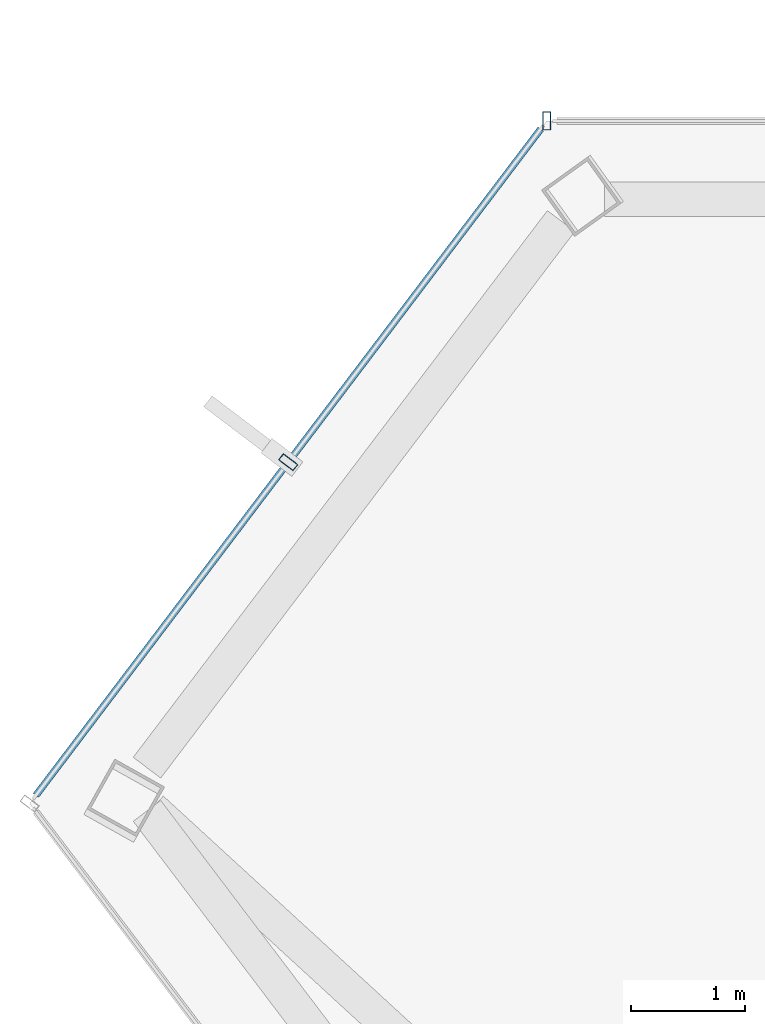
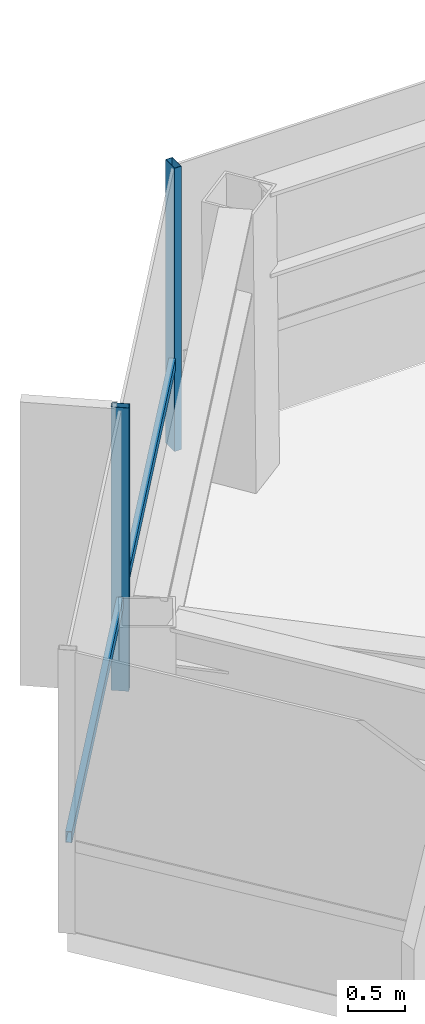
# One storey, part 10 of 24: 3 members, 2 elements without a shape of their own.
"""IFC4 building model written with IfcOpenShell, lengths in metres."""

from ifc_helpers import new_model, si_unit, direction, frame, origin, origin_2d, place, context, subcontext, project, spatial, hollow_rectangle, extrude, material, layer, layer_set, material_profile, profile_set, type_object, element, aggregate, save


model = new_model("IFC4")

# Units and contexts
model_context = context("Model", 3, precision=1e-05, world=origin(), true_north=direction((0.0, 1.0)))
body_context = subcontext(model_context, "Body", "Model", "MODEL_VIEW")
ifc_project = project(units=[si_unit("LENGTHUNIT", "METRE"), si_unit("AREAUNIT", "SQUARE_METRE"), si_unit("VOLUMEUNIT", "CUBIC_METRE"), si_unit("PLANEANGLEUNIT", "RADIAN"), si_unit("MASSUNIT", "GRAM", prefix="KILO")], contexts=[model_context])

# Site, building, storey
site_placement = place(None, origin())
site = spatial("IfcSite", under=ifc_project, at=site_placement, CompositionType="ELEMENT")
building_placement = place(site_placement, origin())
building = spatial("IfcBuilding", under=site, at=building_placement, Name="Zarrinselat Tower", CompositionType="ELEMENT")
storey_placement = place(building_placement, frame((0.0, 0.0, 249.56005859375)))
storey = spatial("IfcBuildingStorey", under=building, at=storey_placement, Name="L63", CompositionType="ELEMENT", Elevation=249.56005859375)

# Curtain wall, member
ifc_material_1 = material(Name="Extruded Aluminium Alloy EN AW-6063 T6", Category="aluminium")
ifc_layer = layer(ifc_material_1, 0.169921875)
ifc_layer_set = layer_set([ifc_layer], Name="Extruded Aluminium Alloy EN AW-6063 T6")
curtain_wall_type = type_object("IfcCurtainWallType", Name="CWS-RES", PredefinedType="NOTDEFINED", material=ifc_layer_set)
curtain_wall_1_placement = place(storey_placement, origin())
curtain_wall_1 = element("IfcCurtainWall", 1, at=curtain_wall_1_placement, inside=storey, type_object=curtain_wall_type, Name="L63 Unitised Curtain Wall CW-L63-E01", PredefinedType="NOTDEFINED")
ifc_material_2 = material(Name="Extruded Aluminium Alloy EN AW-6063 T6", Category="aluminium")
ifc_material_profile_1 = material_profile(ifc_material_2, hollow_rectangle(XDim=0.070068359375, YDim=0.159912109375, WallThickness=0.00390625, at=origin_2d()), Name="RHS 160x70x4")
ifc_profile_set_1 = profile_set([ifc_material_profile_1], Name="Extruded Aluminium Alloy EN AW-6063 T6")
member_type_1 = type_object("IfcMemberType", Name="MEM-CW-MUL2", PredefinedType="MULLION", material=ifc_profile_set_1)
member_1_placement = place(storey_placement, frame((20.253662109375, 47.944580078125, 0.0), z_axis=(0.0, 0.0, 1.0), x_axis=(-1.0, 0.0, 0.0)))
member_1 = element("IfcMember", 2, at=member_1_placement, type_object=member_type_1, Name="CW-L63-E01 Mullion 12", PredefinedType="MULLION", context=body_context, shape_type="SweptSolid", body=[
    extrude(hollow_rectangle(XDim=0.070068359375, YDim=0.159912109375, WallThickness=0.00390625, at=origin_2d()), origin(), (0.0, 0.0, 1.0), 3.050048828125),
])
aggregate(curtain_wall_1, [member_1])

# Curtain wall, members
curtain_wall_2_placement = place(storey_placement, origin())
curtain_wall_2 = element("IfcCurtainWall", 3, at=curtain_wall_2_placement, inside=storey, type_object=curtain_wall_type, Name="L63 Unitised Curtain Wall CW-L63-E02", PredefinedType="NOTDEFINED")
member_2_placement = place(storey_placement, frame((17.984619140625, 44.949462890625, 0.0), z_axis=(0.0, 0.0, 1.0), x_axis=(-0.603861530965, -0.797089236799, 0.0)))
member_2 = element("IfcMember", 4, at=member_2_placement, type_object=member_type_1, Name="CW-L63-E02 Mullion 1", PredefinedType="MULLION", context=body_context, shape_type="SweptSolid", body=[
    extrude(hollow_rectangle(XDim=0.070068359375, YDim=0.159912109375, WallThickness=0.00390625, at=origin_2d()), origin(), (0.0, 0.0, 1.0), 3.050048828125),
])
ifc_material_3 = material(Name="Extruded Aluminium Alloy EN AW-6063 T6", Category="aluminium")
ifc_material_profile_2 = material_profile(ifc_material_3, hollow_rectangle(XDim=0.06005859375, YDim=0.1201171875, WallThickness=0.00390625, at=origin_2d()), Name="RHS 120x60x4")
ifc_profile_set_2 = profile_set([ifc_material_profile_2], Name="Extruded Aluminium Alloy EN AW-6063 T6")
member_type_2 = type_object("IfcMemberType", Name="MEM-CW-TRN2", PredefinedType="USERDEFINED", material=ifc_profile_set_2)
member_3_placement = place(storey_placement, frame((20.199462890625, 47.872802734375, 0.949951171875), z_axis=(-0.603869863542, -0.797082924109, 0.0), x_axis=(0.797082924109, -0.603869863542, 0.0)))
member_3 = element("IfcMember", 5, at=member_3_placement, type_object=member_type_2, Name="CW-L63-E02 Transom 1", ObjectType="TRANSOM", PredefinedType="USERDEFINED", context=body_context, shape_type="SweptSolid", body=[
    extrude(hollow_rectangle(XDim=0.06005859375, YDim=0.1201171875, WallThickness=0.00390625, at=origin_2d()), origin(), (0.0, 0.0, 1.0), 7.335205078125),
])
aggregate(curtain_wall_2, [member_2, member_3])

save(model, "model.ifc")
